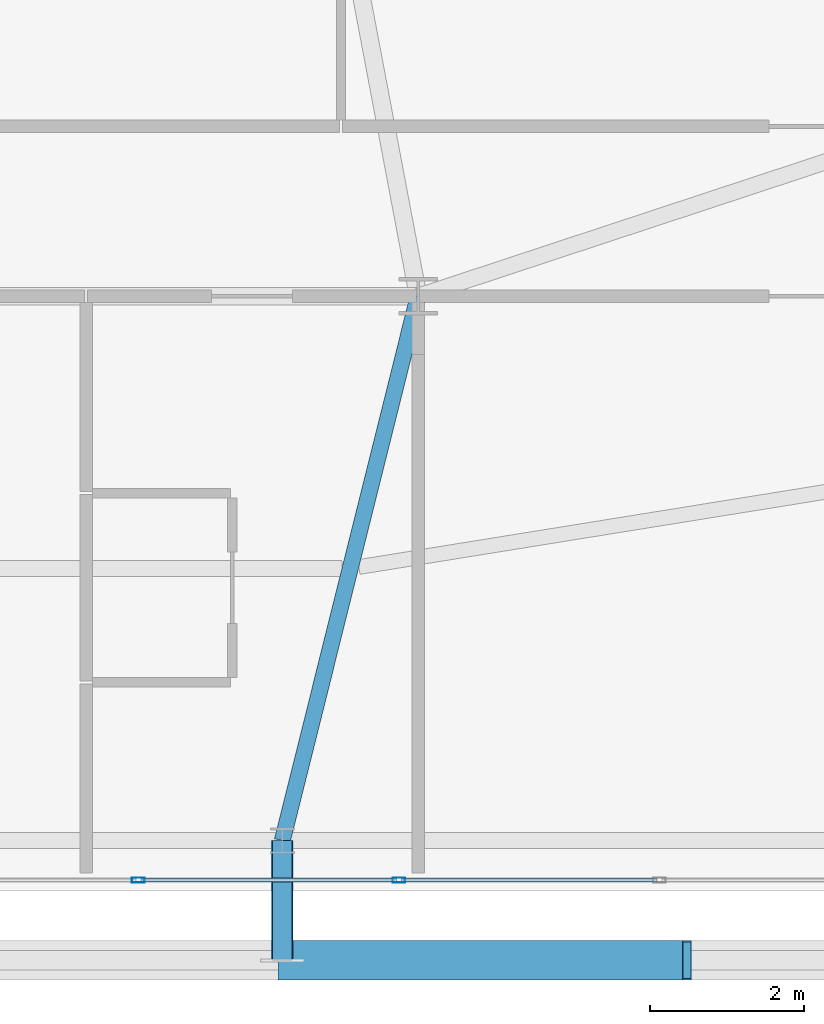
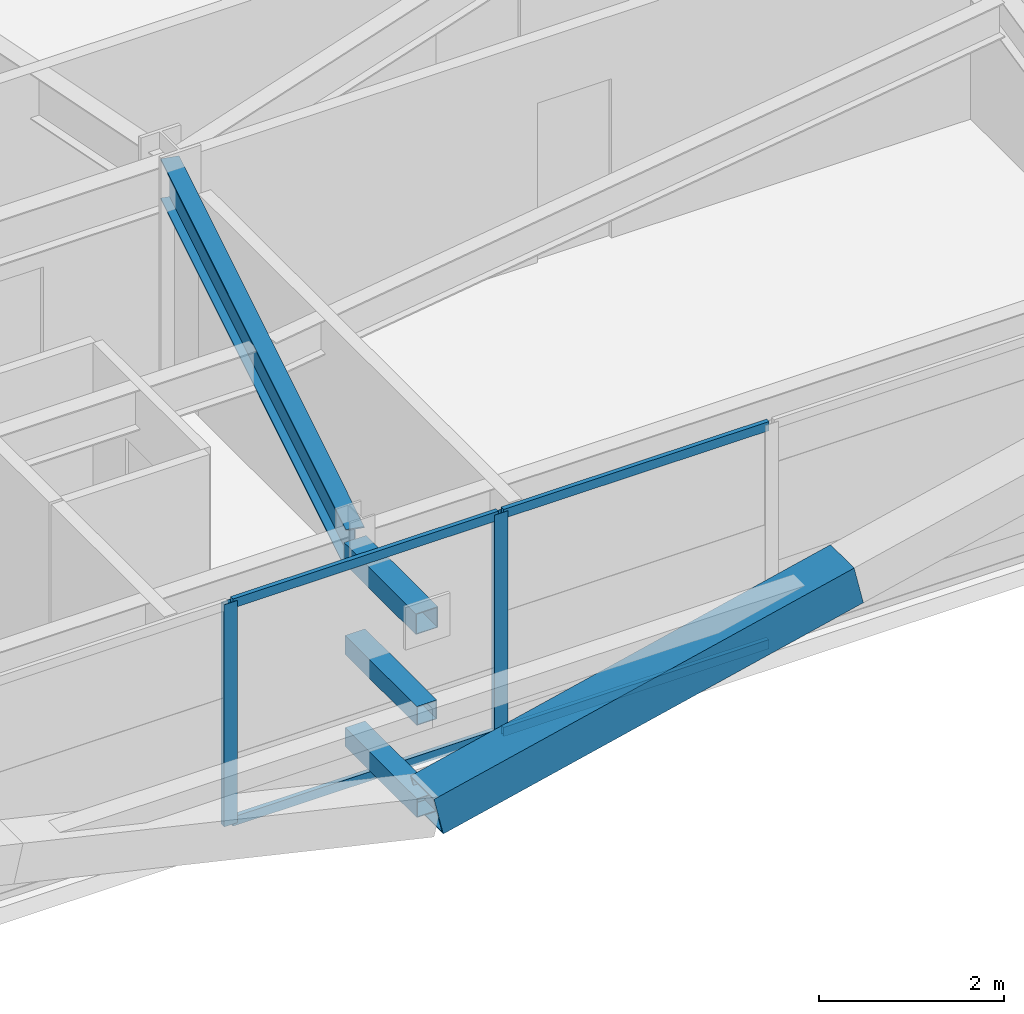
# One storey, part 20 of 59: 10 members, 1 beam, 1 element without a shape of its own.
"""IFC4 building model written with IfcOpenShell, lengths in metres."""

from ifc_helpers import new_model, si_unit, direction, frame, origin, origin_2d, place, context, subcontext, project, spatial, hollow_rectangle, i_section, extrude, source, transform, mapped, material, layer, layer_set, material_profile, profile_set, type_object, element, aggregate, save


model = new_model("IFC4")

# Units and contexts
model_context = context("Model", 3, precision=1e-05, world=origin(), true_north=direction((0.0, 1.0)))
body_context = subcontext(model_context, "Body", "Model", "MODEL_VIEW")
ifc_project = project(units=[si_unit("LENGTHUNIT", "METRE"), si_unit("AREAUNIT", "SQUARE_METRE"), si_unit("VOLUMEUNIT", "CUBIC_METRE"), si_unit("PLANEANGLEUNIT", "RADIAN"), si_unit("MASSUNIT", "GRAM", prefix="KILO")], contexts=[model_context])

# Site, building, storey
site_placement = place(None, origin())
site = spatial("IfcSite", under=ifc_project, at=site_placement, CompositionType="ELEMENT")
building_placement = place(site_placement, origin())
building = spatial("IfcBuilding", under=site, at=building_placement, Name="Taldren Reach Tower", CompositionType="ELEMENT")
storey_placement = place(building_placement, frame((0.0, 0.0, 45.14990234375)))
storey = spatial("IfcBuildingStorey", under=building, at=storey_placement, Name="L13", CompositionType="ELEMENT", Elevation=45.14990234375)

# Beam
ifc_material_1 = material(Name="Steel Gr 350 (350PLUS)", Category="steel")
ifc_material_profile_1 = material_profile(ifc_material_1, i_section(OverallWidth=0.208984375, OverallDepth=0.532958984375, WebThickness=0.01025390625, FlangeThickness=0.015625, at=origin_2d()), Name="530UB92.4")
ifc_profile_set_1 = profile_set([ifc_material_profile_1], Name="Steel Gr 350 (350PLUS)")
beam_type = type_object("IfcBeamType", Name="BM-UB530A", PredefinedType="BEAM", material=ifc_profile_set_1)
shared_shape_1 = source(origin(), body_context, "Body", "SweptSolid", [
    extrude(i_section(OverallWidth=0.208984375, OverallDepth=0.532958984375, WebThickness=0.01025390625, FlangeThickness=0.015625, at=origin_2d()), origin(), (0.0, 0.0, 1.0), 7.266357421875),
])
beam_placement = place(storey_placement, frame((42.0, 9.199951171875, 2.66357421875), z_axis=(-0.24221148493, -0.970223477642, 0.0), x_axis=(0.970223477642, -0.24221148493, 0.0)))
element("IfcBeam", 1, at=beam_placement, inside=storey, type_object=beam_type, Name="Primary floor girder B1-S4 L13", PredefinedType="BEAM", context=body_context, shape_type="MappedRepresentation", body=[
    mapped(shared_shape_1, transform((0.0, 0.0, 0.0), scale=1.0)),
])

# Members
ifc_material_2 = material(Name="Steel Gr 450 (C450L0)", Category="steel")
ifc_material_profile_2 = material_profile(ifc_material_2, hollow_rectangle(XDim=0.27490234375, YDim=0.27490234375, WallThickness=0.00927734375, at=origin_2d()), Name="275x275x9.3SHS")
ifc_profile_set_2 = profile_set([ifc_material_profile_2], Name="Steel Gr 450 (C450L0)")
member_type_1 = type_object("IfcMemberType", Name="MB-TIE273", PredefinedType="STRUT", material=ifc_profile_set_2)
shared_shape_2 = source(origin(), body_context, "Body", "SweptSolid", [
    extrude(hollow_rectangle(XDim=0.27490234375, YDim=0.27490234375, WallThickness=0.00927734375, at=origin_2d()), origin(), (0.0, 0.0, 1.0), 1.5498046875),
])
member_1_placement = place(storey_placement, frame((40.239990234375, 2.14990234375, 2.650146484375), z_axis=(0.0, -1.0, 0.0), x_axis=(1.0, 0.0, 0.0)))
element("IfcMember", 2, at=member_1_placement, inside=storey, type_object=member_type_1, Name="Exoskeleton diaphragm tie strut B1-S4 L13", PredefinedType="STRUT", context=body_context, shape_type="MappedRepresentation", body=[
    mapped(shared_shape_2, transform((0.0, 0.0, 0.0), scale=1.0)),
])
ifc_material_profile_3 = material_profile(ifc_material_2, hollow_rectangle(XDim=0.510009765625, YDim=0.510009765625, WallThickness=0.02001953125, at=origin_2d()), Name="510x510x20.0SHS")
ifc_profile_set_3 = profile_set([ifc_material_profile_3], Name="Steel Gr 450 (C450L0)")
member_type_2 = type_object("IfcMemberType", Name="MB-EXO508", PredefinedType="BRACE", material=ifc_profile_set_3)
shared_shape_3 = source(origin(), body_context, "Body", "SweptSolid", [
    extrude(hollow_rectangle(XDim=0.510009765625, YDim=0.510009765625, WallThickness=0.02001953125, at=origin_2d()), origin(), (0.0, 0.0, 1.0), 5.37890625),
])
member_2_placement = place(storey_placement, frame((40.239990234375, 0.60009765625, 0.22021484375), z_axis=(0.974161966843, 0.0, 0.225850531007), x_axis=(0.0, 1.0, 0.0)))
element("IfcMember", 3, at=member_2_placement, inside=storey, type_object=member_type_2, Name="Exoskeleton Diagrid Brace B1-S4 L13", PredefinedType="BRACE", context=body_context, shape_type="MappedRepresentation", body=[
    mapped(shared_shape_3, transform((0.0, 0.0, 0.0), scale=1.0)),
])
ifc_material_3 = material(Name="Steel Gr 350 (C350L0)", Category="steel")
ifc_material_profile_4 = material_profile(ifc_material_3, hollow_rectangle(XDim=0.25, YDim=0.25, WallThickness=0.010009765625, at=origin_2d()), Name="250x250x10.0SHS")
ifc_profile_set_4 = profile_set([ifc_material_profile_4], Name="Steel Gr 350 (C350L0)")
member_type_3 = type_object("IfcMemberType", Name="MB-POST250", PredefinedType="POST", material=ifc_profile_set_4)
shared_shape_4 = source(origin(), body_context, "Body", "SweptSolid", [
    extrude(hollow_rectangle(XDim=0.25, YDim=0.25, WallThickness=0.010009765625, at=origin_2d()), origin(), (0.0, 0.0, 1.0), 1.5498046875),
])
for number, where, z_axis, x_axis, name in (
    (4, (40.239990234375, 2.14990234375, 0.22021484375), (0.0, -1.0, 0.0), (1.0, 0.0, 0.0), "Exoskeleton base diaphragm tie strut B1-S4 L13"),
    (5, (40.239990234375, 2.14990234375, 1.43505859375), (0.0, -1.0, 0.0), (1.0, 0.0, 0.0), "Exoskeleton mid-tier diaphragm tie B1-S4 L13"),
):
    element("IfcMember", number, at=place(storey_placement, frame(where, z_axis=z_axis, x_axis=x_axis)), inside=storey, type_object=member_type_3, Name=name, PredefinedType="POST", context=body_context, shape_type="MappedRepresentation", body=[
        mapped(shared_shape_4, transform((0.0, 0.0, 0.0), scale=1.0)),
    ])

# Curtain wall, members
ifc_material_4 = material(Name="Aluminium and Low-E Glass Unitised System", Category="aluminium")
ifc_layer = layer(ifc_material_4, 0.159912109375)
ifc_layer_set = layer_set([ifc_layer], Name="Aluminium and Low-E Glass Unitised System")
curtain_wall_type = type_object("IfcCurtainWallType", Name="CW-SYS-2", PredefinedType="NOTDEFINED", material=ifc_layer_set)
curtain_wall_placement = place(storey_placement, origin())
curtain_wall = element("IfcCurtainWall", 6, at=curtain_wall_placement, inside=storey, type_object=curtain_wall_type, Name="Unitised curtain wall CW-L13-S", PredefinedType="NOTDEFINED")
ifc_material_5 = material(Name="Anodised Aluminium 6063-T6", Category="aluminium")
ifc_material_profile_5 = material_profile(ifc_material_5, hollow_rectangle(XDim=0.054931640625, YDim=0.1201171875, WallThickness=0.0029296875, at=origin_2d()), Name="ALU-120x55x3RHS")
ifc_profile_set_5 = profile_set([ifc_material_profile_5], Name="Anodised Aluminium 6063-T6")
member_type_4 = type_object("IfcMemberType", Name="CW-TRN-135", PredefinedType="USERDEFINED", material=ifc_profile_set_5)
shared_shape_5 = source(origin(), body_context, "Body", "SweptSolid", [
    extrude(hollow_rectangle(XDim=0.054931640625, YDim=0.1201171875, WallThickness=0.0029296875, at=origin_2d()), origin(), (0.0, 0.0, 1.0), 3.31005859375),
])
member_3_placement = place(storey_placement, frame((38.407470703125, 1.639892578125, 0.027587890625), z_axis=(1.0, 0.0, 0.0), x_axis=(0.0, 1.0, 0.0)))
member_3 = element("IfcMember", 7, at=member_3_placement, type_object=member_type_4, Name="CW-2 transom 10.1", ObjectType="TRANSOM", PredefinedType="USERDEFINED", context=body_context, shape_type="MappedRepresentation", body=[
    mapped(shared_shape_5, transform((0.0, 0.0, 0.0), scale=1.0)),
])
member_4_placement = place(storey_placement, frame((38.407470703125, 1.639892578125, 2.902587890625), z_axis=(1.0, 0.0, 0.0), x_axis=(0.0, 1.0, 0.0)))
member_4 = element("IfcMember", 8, at=member_4_placement, type_object=member_type_4, Name="CW-2 transom 10.2", ObjectType="TRANSOM", PredefinedType="USERDEFINED", context=body_context, shape_type="MappedRepresentation", body=[
    mapped(shared_shape_5, transform((0.0, 0.0, 0.0), scale=1.0)),
])
member_5_placement = place(storey_placement, frame((41.782470703125, 1.639892578125, 0.027587890625), z_axis=(1.0, 0.0, 0.0), x_axis=(0.0, 1.0, 0.0)))
member_5 = element("IfcMember", 9, at=member_5_placement, type_object=member_type_4, Name="CW-2 transom 11.1", ObjectType="TRANSOM", PredefinedType="USERDEFINED", context=body_context, shape_type="MappedRepresentation", body=[
    mapped(shared_shape_5, transform((0.0, 0.0, 0.0), scale=1.0)),
])
member_6_placement = place(storey_placement, frame((41.782470703125, 1.639892578125, 2.902587890625), z_axis=(1.0, 0.0, 0.0), x_axis=(0.0, 1.0, 0.0)))
member_6 = element("IfcMember", 10, at=member_6_placement, type_object=member_type_4, Name="CW-2 transom 11.2", ObjectType="TRANSOM", PredefinedType="USERDEFINED", context=body_context, shape_type="MappedRepresentation", body=[
    mapped(shared_shape_5, transform((0.0, 0.0, 0.0), scale=1.0)),
])
ifc_material_profile_6 = material_profile(ifc_material_5, hollow_rectangle(XDim=0.06494140625, YDim=0.1650390625, WallThickness=0.00390625, at=origin_2d()), Name="ALU-165x65x4RHS")
ifc_profile_set_6 = profile_set([ifc_material_profile_6], Name="Anodised Aluminium 6063-T6")
member_type_5 = type_object("IfcMemberType", Name="CW-MUL-165", PredefinedType="MULLION", material=ifc_profile_set_6)
shared_shape_6 = source(origin(), body_context, "Body", "SweptSolid", [
    extrude(hollow_rectangle(XDim=0.06494140625, YDim=0.1650390625, WallThickness=0.00390625, at=origin_2d()), origin(), (0.0, 0.0, 1.0), 2.93017578125),
])
member_7_placement = place(storey_placement, frame((38.375, 1.639892578125, 0.0), z_axis=(0.0, 0.0, 1.0), x_axis=(0.0, 1.0, 0.0)))
member_7 = element("IfcMember", 11, at=member_7_placement, type_object=member_type_5, Name="CW-2 mullion 10", PredefinedType="MULLION", context=body_context, shape_type="MappedRepresentation", body=[
    mapped(shared_shape_6, transform((0.0, 0.0, 0.0), scale=1.0)),
])
member_8_placement = place(storey_placement, frame((41.75, 1.639892578125, 0.0), z_axis=(0.0, 0.0, 1.0), x_axis=(0.0, 1.0, 0.0)))
member_8 = element("IfcMember", 12, at=member_8_placement, type_object=member_type_5, Name="CW-2 mullion 11", PredefinedType="MULLION", context=body_context, shape_type="MappedRepresentation", body=[
    mapped(shared_shape_6, transform((0.0, 0.0, 0.0), scale=1.0)),
])
aggregate(curtain_wall, [member_7, member_8, member_3, member_4, member_5, member_6])

save(model, "model.ifc")
